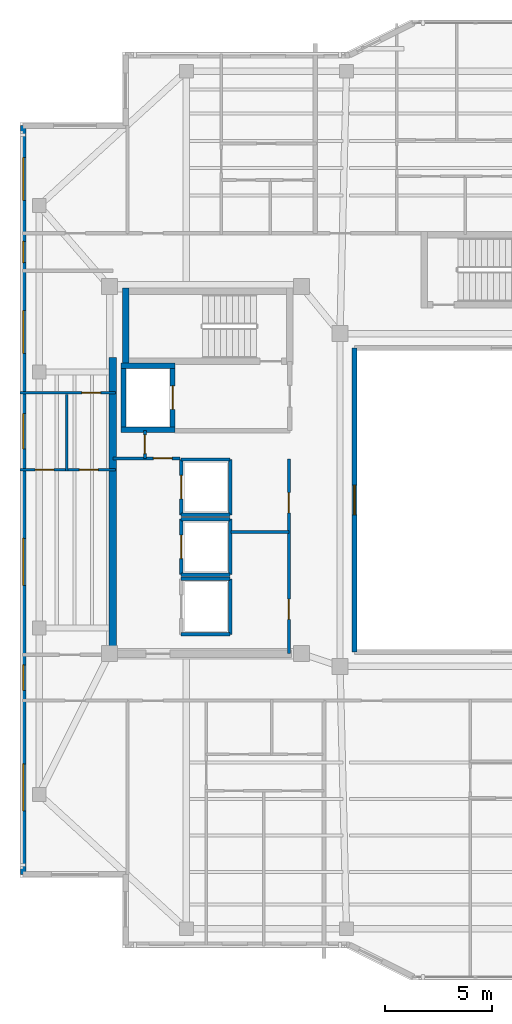
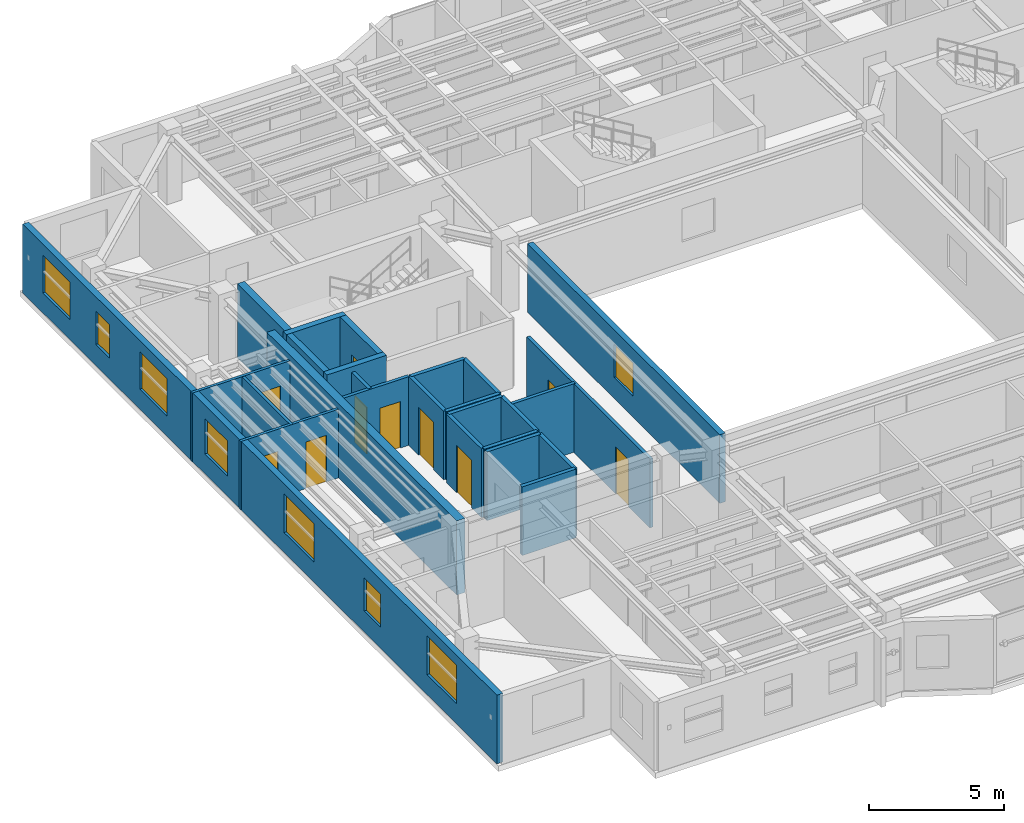
# One storey, part 7 of 15: 26 walls, 10 doors, 8 windows, 18 openings.
"""IFC4 building model written with IfcOpenShell, lengths in metres."""

from ifc_helpers import new_model, si_unit, direction, frame, frame_2d, origin, place, context, subcontext, project, spatial, rectangle, extrude, material, layer, layer_set, type_object, element, fill, save


model = new_model("IFC4")

# Units and contexts
model_context = context("Model", 3, precision=1e-05, world=origin(), true_north=direction((0.0, 1.0)))
body_context = subcontext(model_context, "Body", "Model", "MODEL_VIEW")
ifc_project = project(units=[si_unit("LENGTHUNIT", "METRE"), si_unit("AREAUNIT", "SQUARE_METRE"), si_unit("VOLUMEUNIT", "CUBIC_METRE"), si_unit("PLANEANGLEUNIT", "RADIAN"), si_unit("MASSUNIT", "GRAM", prefix="KILO")], contexts=[model_context])

# Site, building, storey
site_placement = place(None, origin())
site = spatial("IfcSite", under=ifc_project, at=site_placement, CompositionType="ELEMENT")
building_placement = place(site_placement, origin())
building = spatial("IfcBuilding", under=site, at=building_placement, Name="Tarnavaz Court Tower", CompositionType="ELEMENT")
storey_placement = place(building_placement, frame((0.0, 0.0, 241.5)))
storey = spatial("IfcBuildingStorey", under=building, at=storey_placement, Name="L65", CompositionType="ELEMENT", Elevation=241.5)

# Wall
ifc_material_1 = material(Name="Concrete C50/60", Category="concrete")
ifc_layer_1 = layer(ifc_material_1, 0.25)
ifc_layer_set_1 = layer_set([ifc_layer_1], Name="Concrete C50/60")
wall_type_1 = type_object("IfcWallType", Name="WL-CORE-250-C50", PredefinedType="SHEAR", material=ifc_layer_set_1)
wall_1_placement = place(storey_placement, frame((-17.949951171875, 3.175048828125, 0.0), z_axis=(0.0, 0.0, 1.0), x_axis=(0.0, 1.0, 0.0)))
element("IfcWall", 1, at=wall_1_placement, inside=storey, type_object=wall_type_1, Name="L65 Lift FL-W1 Shaft Wall 017", PredefinedType="SHEAR", context=body_context, shape_type="SweptSolid", body=[
    extrude(rectangle(XDim=3.25, YDim=0.25, at=frame_2d((1.625, 0.0))), origin(), (0.0, 0.0, 1.0), 3.35009765625),
])

# Wall, opening, door
wall_2_placement = place(storey_placement, frame((-15.64990234375, 3.175048828125, 0.0), z_axis=(0.0, 0.0, 1.0), x_axis=(0.0, 1.0, 0.0)))
wall_2 = element("IfcWall", 2, at=wall_2_placement, inside=storey, type_object=wall_type_1, Name="L65 Lift FL-W1 Shaft Wall 018", PredefinedType="SHEAR", context=body_context, shape_type="SweptSolid", body=[
    extrude(rectangle(XDim=3.25, YDim=0.25, at=frame_2d((1.625, 0.0))), origin(), (0.0, 0.0, 1.0), 3.35009765625),
])
opening_1_placement = place(wall_2_placement, frame((1.074951171875, 0.0, 0.0)))
opening_1 = element("IfcOpeningElement", 3, at=opening_1_placement, cuts=wall_2, Name="Opening LD1", PredefinedType="OPENING", context=body_context, shape_type="SweptSolid", body=[
    extrude(rectangle(XDim=1.10009765625, YDim=2.14990234375, at=frame_2d((0.550048828125, 1.074951171875))), frame((0.0, 0.135009765625, 0.0), z_axis=(0.0, -1.0, 0.0), x_axis=(1.0, 0.0, 0.0)), (0.0, 0.0, 1.0), 0.27001953125),
])
ifc_material_2 = material(Name="Stainless Steel", Category="steel")
door_type_1 = type_object("IfcDoorType", Name="DR-LD-1100", OperationType="NOTDEFINED", PredefinedType="DOOR", material=ifc_material_2)
door_1_placement = place(opening_1_placement, origin())
door_1 = element("IfcDoor", 4, at=door_1_placement, inside=storey, type_object=door_type_1, Name="L65 Lift Landing Door LD-FL-W1", OperationType="SLIDING_TO_LEFT", OverallHeight=2.14990234375, OverallWidth=1.10009765625, PredefinedType="DOOR", context=body_context, shape_type="SweptSolid", body=[
    extrude(rectangle(XDim=1.10009765625, YDim=2.14990234375, at=frame_2d((0.550048828125, 1.074951171875))), frame((0.0, 0.02490234375, 0.0), z_axis=(0.0, -1.0, 0.0), x_axis=(1.0, 0.0, 0.0)), (0.0, 0.0, 1.0), 0.050048828125),
])
fill(opening_1, door_1)

# Walls
for number, where, z_axis, x_axis, name in (
    (5, (-18.074951171875, 3.300048828125, 0.0), (0.0, 0.0, 1.0), (1.0, 0.0, 0.0), "L65 Lift FL-W1 Shaft Wall 019"),
    (6, (-18.074951171875, 6.300048828125, 0.0), (0.0, 0.0, 1.0), (1.0, 0.0, 0.0), "L65 Lift FL-W1 Shaft Wall 020"),
):
    element("IfcWall", number, at=place(storey_placement, frame(where, z_axis=z_axis, x_axis=x_axis)), inside=storey, type_object=wall_type_1, Name=name, PredefinedType="SHEAR", context=body_context, shape_type="SweptSolid", body=[
        extrude(rectangle(XDim=2.550048828125, YDim=0.25, at=frame_2d((1.27490234375, 0.0))), origin(), (0.0, 0.0, 1.0), 3.35009765625),
    ])
ifc_layer_2 = layer(ifc_material_1, 0.300048828125)
ifc_layer_set_2 = layer_set([ifc_layer_2], Name="Concrete C50/60")
wall_type_2 = type_object("IfcWallType", Name="WL-CORE-300-C50", PredefinedType="SHEAR", material=ifc_layer_set_2)
wall_3_placement = place(storey_placement, frame((-17.85009765625, 6.35009765625, 0.0), z_axis=(0.0, 0.0, 1.0), x_axis=(0.0, 1.0, 0.0)))
element("IfcWall", 7, at=wall_3_placement, inside=storey, type_object=wall_type_2, Name="L65 West Stair Core Wall 003", PredefinedType="SHEAR", context=body_context, shape_type="SweptSolid", body=[
    extrude(rectangle(XDim=3.58984375, YDim=0.300048828125, at=frame_2d((1.794921875, 0.0))), origin(), (0.0, 0.0, 1.0), 3.35009765625),
])
ifc_layer_3 = layer(ifc_material_1, 0.35009765625)
ifc_layer_set_3 = layer_set([ifc_layer_3], Name="Concrete C50/60")
wall_type_3 = type_object("IfcWallType", Name="WL-CORE-350-C50", PredefinedType="SHEAR", material=ifc_layer_set_3)
wall_4_placement = place(storey_placement, frame((-18.449951171875, -7.375, 0.0), z_axis=(0.0, 0.0, 1.0), x_axis=(0.0, 1.0, 0.0)))
element("IfcWall", 8, at=wall_4_placement, inside=storey, type_object=wall_type_3, Name="L65 West Core Shear Wall 045", PredefinedType="SHEAR", context=body_context, shape_type="SweptSolid", body=[
    extrude(rectangle(XDim=14.050048828125, YDim=0.35009765625, at=frame_2d((7.02490234375, 0.0))), origin(), (0.0, 0.0, 1.0), 3.35009765625),
])

# Wall, openings, windows
ifc_material_3 = material(Name="Precast Concrete C40/50", Category="concrete")
ifc_layer_4 = layer(ifc_material_3, 0.260009765625)
ifc_layer_set_4 = layer_set([ifc_layer_4], Name="Precast Concrete C40/50")
wall_type_4 = type_object("IfcWallType", Name="WL-EXT-260", PredefinedType="SOLIDWALL", material=ifc_layer_set_4)
wall_5_placement = place(storey_placement, frame((-22.64990234375, -17.550048828125, 0.0), z_axis=(0.0, 0.0, 1.0), x_axis=(0.0, 1.0, 0.0)))
wall_5 = element("IfcWall", 9, at=wall_5_placement, inside=storey, type_object=wall_type_4, Name="L65 Exterior Terracotta Facade Wall 02", PredefinedType="SOLIDWALL", context=body_context, shape_type="SweptSolid", body=[
    extrude(rectangle(XDim=35.10009765625, YDim=0.260009765625, at=frame_2d((17.550048828125, 0.0))), origin(), (0.0, 0.0, 1.0), 3.10009765625),
])
opening_2_placement = place(wall_5_placement, frame((2.97509765625, 0.0, 0.89990234375)))
opening_2 = element("IfcOpeningElement", 10, at=opening_2_placement, cuts=wall_5, Name="Opening W07", PredefinedType="OPENING", context=body_context, shape_type="SweptSolid", body=[
    extrude(rectangle(XDim=2.199951171875, YDim=1.75, at=frame_2d((1.10009765625, 0.875))), frame((0.0, 0.139892578125, 0.0), z_axis=(0.0, -1.0, 0.0), x_axis=(1.0, 0.0, 0.0)), (0.0, 0.0, 1.0), 0.280029296875),
])
opening_3_placement = place(wall_5_placement, frame((8.625, 0.0, 0.949951171875)))
opening_3 = element("IfcOpeningElement", 11, at=opening_3_placement, cuts=wall_5, Name="Opening W05", PredefinedType="OPENING", context=body_context, shape_type="SweptSolid", body=[
    extrude(rectangle(XDim=1.199951171875, YDim=1.5, at=frame_2d((0.60009765625, 0.75))), frame((0.0, 0.139892578125, 0.0), z_axis=(0.0, -1.0, 0.0), x_axis=(1.0, 0.0, 0.0)), (0.0, 0.0, 1.0), 0.280029296875),
])
opening_4_placement = place(wall_5_placement, frame((13.550048828125, 0.0, 0.89990234375)))
opening_4 = element("IfcOpeningElement", 12, at=opening_4_placement, cuts=wall_5, Name="Opening W07", PredefinedType="OPENING", context=body_context, shape_type="SweptSolid", body=[
    extrude(rectangle(XDim=2.199951171875, YDim=1.75, at=frame_2d((1.10009765625, 0.875))), frame((0.0, 0.139892578125, 0.0), z_axis=(0.0, -1.0, 0.0), x_axis=(1.0, 0.0, 0.0)), (0.0, 0.0, 1.0), 0.280029296875),
])
opening_5_placement = place(wall_5_placement, frame((19.949951171875, 0.0, 0.89990234375)))
opening_5 = element("IfcOpeningElement", 13, at=opening_5_placement, cuts=wall_5, Name="Opening W02", PredefinedType="OPENING", context=body_context, shape_type="SweptSolid", body=[
    extrude(rectangle(XDim=1.64990234375, YDim=1.60009765625, at=frame_2d((0.824951171875, 0.800048828125))), frame((0.0, 0.139892578125, 0.0), z_axis=(0.0, -1.0, 0.0), x_axis=(1.0, 0.0, 0.0)), (0.0, 0.0, 1.0), 0.280029296875),
])
opening_6_placement = place(wall_5_placement, frame((24.425048828125, 0.0, 0.89990234375)))
opening_6 = element("IfcOpeningElement", 14, at=opening_6_placement, cuts=wall_5, Name="Opening W08", PredefinedType="OPENING", context=body_context, shape_type="SweptSolid", body=[
    extrude(rectangle(XDim=2.0, YDim=1.699951171875, at=frame_2d((1.0, 0.85009765625))), frame((0.0, 0.139892578125, 0.0), z_axis=(0.0, -1.0, 0.0), x_axis=(1.0, 0.0, 0.0)), (0.0, 0.0, 1.0), 0.280029296875),
])
opening_7_placement = place(wall_5_placement, frame((28.675048828125, 0.0, 0.949951171875)))
opening_7 = element("IfcOpeningElement", 15, at=opening_7_placement, cuts=wall_5, Name="Opening W14", PredefinedType="OPENING", context=body_context, shape_type="SweptSolid", body=[
    extrude(rectangle(XDim=1.0, YDim=1.5, at=frame_2d((0.5, 0.75))), frame((0.0, 0.139892578125, 0.0), z_axis=(0.0, -1.0, 0.0), x_axis=(1.0, 0.0, 0.0)), (0.0, 0.0, 1.0), 0.280029296875),
])
opening_8_placement = place(wall_5_placement, frame((31.60009765625, 0.0, 0.89990234375)))
opening_8 = element("IfcOpeningElement", 16, at=opening_8_placement, cuts=wall_5, Name="Opening W08", PredefinedType="OPENING", context=body_context, shape_type="SweptSolid", body=[
    extrude(rectangle(XDim=2.0, YDim=1.699951171875, at=frame_2d((1.0, 0.85009765625))), frame((0.0, 0.139892578125, 0.0), z_axis=(0.0, -1.0, 0.0), x_axis=(1.0, 0.0, 0.0)), (0.0, 0.0, 1.0), 0.280029296875),
])
ifc_material_4 = material(Name="Double-Glazed Solar Low-E Glass", Category="glass")
window_type_1 = type_object("IfcWindowType", Name="WN-APT-1000", PartitioningType="SINGLE_PANEL", PredefinedType="WINDOW", material=ifc_material_4)
window_1_placement = place(opening_7_placement, origin())
window_1 = element("IfcWindow", 17, at=window_1_placement, inside=storey, type_object=window_type_1, Name="L65 North-West Corner Corridor Window", OverallHeight=1.5, OverallWidth=1.0, PartitioningType="SINGLE_PANEL", PredefinedType="WINDOW", context=body_context, shape_type="SweptSolid", body=[
    extrude(rectangle(XDim=1.0, YDim=1.5, at=frame_2d((0.5, 0.75))), frame((0.0, 0.030029296875, 0.0), z_axis=(0.0, -1.0, 0.0), x_axis=(1.0, 0.0, 0.0)), (0.0, 0.0, 1.0), 0.06005859375),
])
fill(opening_7, window_1)
window_type_2 = type_object("IfcWindowType", Name="WN-APT-1200", PartitioningType="SINGLE_PANEL", PredefinedType="WINDOW", material=ifc_material_4)
window_2_placement = place(opening_3_placement, origin())
window_2 = element("IfcWindow", 18, at=window_2_placement, inside=storey, type_object=window_type_2, Name="L65 South-West Corner Corridor Window", OverallHeight=1.5, OverallWidth=1.199951171875, PartitioningType="SINGLE_PANEL", PredefinedType="WINDOW", context=body_context, shape_type="SweptSolid", body=[
    extrude(rectangle(XDim=1.199951171875, YDim=1.5, at=frame_2d((0.60009765625, 0.75))), frame((0.0, 0.030029296875, 0.0), z_axis=(0.0, -1.0, 0.0), x_axis=(1.0, 0.0, 0.0)), (0.0, 0.0, 1.0), 0.06005859375),
])
fill(opening_3, window_2)
window_type_3 = type_object("IfcWindowType", Name="WN-APT-1650", PartitioningType="DOUBLE_PANEL_VERTICAL", PredefinedType="WINDOW", material=ifc_material_4)
window_3_placement = place(opening_5_placement, origin())
window_3 = element("IfcWindow", 19, at=window_3_placement, inside=storey, type_object=window_type_3, Name="L65 Flat 08 Kitchen Window", OverallHeight=1.60009765625, OverallWidth=1.64990234375, PartitioningType="SINGLE_PANEL", PredefinedType="WINDOW", context=body_context, shape_type="SweptSolid", body=[
    extrude(rectangle(XDim=1.64990234375, YDim=1.60009765625, at=frame_2d((0.824951171875, 0.800048828125))), frame((0.0, 0.030029296875, 0.0), z_axis=(0.0, -1.0, 0.0), x_axis=(1.0, 0.0, 0.0)), (0.0, 0.0, 1.0), 0.06005859375),
])
fill(opening_5, window_3)
window_type_4 = type_object("IfcWindowType", Name="WN-APT-2000", PartitioningType="DOUBLE_PANEL_VERTICAL", PredefinedType="WINDOW", material=ifc_material_4)
window_4_placement = place(opening_6_placement, origin())
window_4 = element("IfcWindow", 20, at=window_4_placement, inside=storey, type_object=window_type_4, Name="L65 Flat 08 Study Room Window", OverallHeight=1.699951171875, OverallWidth=2.0, PartitioningType="SINGLE_PANEL", PredefinedType="WINDOW", context=body_context, shape_type="SweptSolid", body=[
    extrude(rectangle(XDim=2.0, YDim=1.699951171875, at=frame_2d((1.0, 0.85009765625))), frame((0.0, 0.030029296875, 0.0), z_axis=(0.0, -1.0, 0.0), x_axis=(1.0, 0.0, 0.0)), (0.0, 0.0, 1.0), 0.06005859375),
])
fill(opening_6, window_4)
window_5_placement = place(opening_8_placement, origin())
window_5 = element("IfcWindow", 21, at=window_5_placement, inside=storey, type_object=window_type_4, Name="L65 North-West Corner Sunroom Study Window", OverallHeight=1.699951171875, OverallWidth=2.0, PartitioningType="SINGLE_PANEL", PredefinedType="WINDOW", context=body_context, shape_type="SweptSolid", body=[
    extrude(rectangle(XDim=2.0, YDim=1.699951171875, at=frame_2d((1.0, 0.85009765625))), frame((0.0, 0.030029296875, 0.0), z_axis=(0.0, -1.0, 0.0), x_axis=(1.0, 0.0, 0.0)), (0.0, 0.0, 1.0), 0.06005859375),
])
fill(opening_8, window_5)
window_type_5 = type_object("IfcWindowType", Name="WN-APT-2200", PartitioningType="TRIPLE_PANEL_VERTICAL", PredefinedType="WINDOW", material=ifc_material_4)
window_6_placement = place(opening_2_placement, origin())
window_6 = element("IfcWindow", 22, at=window_6_placement, inside=storey, type_object=window_type_5, Name="L65 South-West Corner Reading Room Window", OverallHeight=1.75, OverallWidth=2.199951171875, PartitioningType="SINGLE_PANEL", PredefinedType="WINDOW", context=body_context, shape_type="SweptSolid", body=[
    extrude(rectangle(XDim=2.199951171875, YDim=1.75, at=frame_2d((1.10009765625, 0.875))), frame((0.0, 0.030029296875, 0.0), z_axis=(0.0, -1.0, 0.0), x_axis=(1.0, 0.0, 0.0)), (0.0, 0.0, 1.0), 0.06005859375),
])
fill(opening_2, window_6)
window_7_placement = place(opening_4_placement, origin())
window_7 = element("IfcWindow", 23, at=window_7_placement, inside=storey, type_object=window_type_5, Name="L65 Flat 08 Studio Living and Sleeping Room Window", OverallHeight=1.75, OverallWidth=2.199951171875, PartitioningType="SINGLE_PANEL", PredefinedType="WINDOW", context=body_context, shape_type="SweptSolid", body=[
    extrude(rectangle(XDim=2.199951171875, YDim=1.75, at=frame_2d((1.10009765625, 0.875))), frame((0.0, 0.030029296875, 0.0), z_axis=(0.0, -1.0, 0.0), x_axis=(1.0, 0.0, 0.0)), (0.0, 0.0, 1.0), 0.06005859375),
])
fill(opening_4, window_7)

# Wall, openings, doors
ifc_material_5 = material(Name="Moisture-Resistant Gypsum Board Partition", Category="masonry")
ifc_layer_5 = layer(ifc_material_5, 0.1201171875)
ifc_layer_set_5 = layer_set([ifc_layer_5], Name="Moisture-Resistant Gypsum Board Partition")
wall_type_5 = type_object("IfcWallType", Name="WL-PART-120", PredefinedType="PARTITIONING", material=ifc_layer_set_5)
wall_6_placement = place(storey_placement, frame((-22.800048828125, 1.419921875, 0.0), z_axis=(0.0, 0.0, 1.0), x_axis=(1.0, 0.0, 0.0)))
wall_6 = element("IfcWall", 24, at=wall_6_placement, inside=storey, type_object=wall_type_5, Name="L65 Interior Partition 123", PredefinedType="PARTITIONING", context=body_context, shape_type="SweptSolid", body=[
    extrude(rectangle(XDim=4.469970703125, YDim=0.1201171875, at=frame_2d((2.23486328125, 0.0))), origin(), (0.0, 0.0, 1.0), 3.10009765625),
])
opening_9_placement = place(wall_6_placement, frame((0.712890625, 0.0, 0.0)))
opening_9 = element("IfcOpeningElement", 25, at=opening_9_placement, cuts=wall_6, Name="Opening D14", PredefinedType="OPENING", context=body_context, shape_type="SweptSolid", body=[
    extrude(rectangle(XDim=0.8798828125, YDim=2.10009765625, at=frame_2d((0.43994140625, 1.050048828125))), frame((0.0, 0.070068359375, 0.0), z_axis=(0.0, -1.0, 0.0), x_axis=(1.0, 0.0, 0.0)), (0.0, 0.0, 1.0), 0.14013671875),
])
opening_10_placement = place(wall_6_placement, frame((2.778076171875, 0.0, 0.0)))
opening_10 = element("IfcOpeningElement", 26, at=opening_10_placement, cuts=wall_6, Name="Opening D14", PredefinedType="OPENING", context=body_context, shape_type="SweptSolid", body=[
    extrude(rectangle(XDim=0.8798828125, YDim=2.10009765625, at=frame_2d((0.43994140625, 1.050048828125))), frame((0.0, 0.070068359375, 0.0), z_axis=(0.0, -1.0, 0.0), x_axis=(1.0, 0.0, 0.0)), (0.0, 0.0, 1.0), 0.14013671875),
])
ifc_material_6 = material(Name="Engineered Oak Timber", Category="wood")
door_type_2 = type_object("IfcDoorType", Name="DR-INT-900", OperationType="NOTDEFINED", PredefinedType="DOOR", material=ifc_material_6)
door_2_placement = place(opening_9_placement, origin())
door_2 = element("IfcDoor", 27, at=door_2_placement, inside=storey, type_object=door_type_2, Name="L65 Flat 08 Kitchen Door", OperationType="SINGLE_SWING_RIGHT", OverallHeight=2.10009765625, OverallWidth=0.8798828125, PredefinedType="DOOR", context=body_context, shape_type="SweptSolid", body=[
    extrude(rectangle(XDim=0.8798828125, YDim=2.10009765625, at=frame_2d((0.43994140625, 1.050048828125))), frame((0.0, 0.02490234375, 0.0), z_axis=(0.0, -1.0, 0.0), x_axis=(1.0, 0.0, 0.0)), (0.0, 0.0, 1.0), 0.050048828125),
])
fill(opening_9, door_2)
door_3_placement = place(opening_10_placement, origin())
door_3 = element("IfcDoor", 28, at=door_3_placement, inside=storey, type_object=door_type_2, Name="L65 Flat 08 Bathroom Door", OperationType="SINGLE_SWING_LEFT", OverallHeight=2.10009765625, OverallWidth=0.8798828125, PredefinedType="DOOR", context=body_context, shape_type="SweptSolid", body=[
    extrude(rectangle(XDim=0.8798828125, YDim=2.10009765625, at=frame_2d((0.43994140625, 1.050048828125))), frame((0.0, 0.02490234375, 0.0), z_axis=(0.0, -1.0, 0.0), x_axis=(1.0, 0.0, 0.0)), (0.0, 0.0, 1.0), 0.050048828125),
])
fill(opening_10, door_3)

# Wall, opening, door
wall_7_placement = place(storey_placement, frame((-22.800048828125, 5.02001953125, 0.0), z_axis=(0.0, 0.0, 1.0), x_axis=(1.0, 0.0, 0.0)))
wall_7 = element("IfcWall", 29, at=wall_7_placement, inside=storey, type_object=wall_type_5, Name="L65 Interior Partition 124", PredefinedType="PARTITIONING", context=body_context, shape_type="SweptSolid", body=[
    extrude(rectangle(XDim=4.469970703125, YDim=0.1201171875, at=frame_2d((2.23486328125, 0.0))), origin(), (0.0, 0.0, 1.0), 3.10009765625),
])
opening_11_placement = place(wall_7_placement, frame((2.89990234375, 0.0, 0.0)))
opening_11 = element("IfcOpeningElement", 30, at=opening_11_placement, cuts=wall_7, Name="Opening D14", PredefinedType="OPENING", context=body_context, shape_type="SweptSolid", body=[
    extrude(rectangle(XDim=0.8798828125, YDim=2.10009765625, at=frame_2d((0.43994140625, 1.050048828125))), frame((0.0, 0.070068359375, 0.0), z_axis=(0.0, -1.0, 0.0), x_axis=(1.0, 0.0, 0.0)), (0.0, 0.0, 1.0), 0.14013671875),
])
door_4_placement = place(opening_11_placement, origin())
door_4 = element("IfcDoor", 31, at=door_4_placement, inside=storey, type_object=door_type_2, Name="L65 Flat 08 Study Door", OperationType="SINGLE_SWING_RIGHT", OverallHeight=2.10009765625, OverallWidth=0.8798828125, PredefinedType="DOOR", context=body_context, shape_type="SweptSolid", body=[
    extrude(rectangle(XDim=0.8798828125, YDim=2.10009765625, at=frame_2d((0.43994140625, 1.050048828125))), frame((0.0, 0.02490234375, 0.0), z_axis=(0.0, -1.0, 0.0), x_axis=(1.0, 0.0, 0.0)), (0.0, 0.0, 1.0), 0.050048828125),
])
fill(opening_11, door_4)

# Wall
wall_8_placement = place(storey_placement, frame((-20.614990234375, 1.360107421875, 0.0), z_axis=(0.0, 0.0, 1.0), x_axis=(0.0, 1.0, 0.0)))
element("IfcWall", 32, at=wall_8_placement, inside=storey, type_object=wall_type_5, Name="L65 Interior Partition 125", PredefinedType="PARTITIONING", context=body_context, shape_type="SweptSolid", body=[
    extrude(rectangle(XDim=3.579833984375, YDim=0.1201171875, at=frame_2d((1.7900390625, 0.0))), origin(), (0.0, 0.0, 1.0), 3.10009765625),
])

# Wall, opening, door
ifc_material_7 = material(Name="Gypsum Plasterboard Acoustic Partition", Category="masonry")
ifc_layer_6 = layer(ifc_material_7, 0.139892578125)
ifc_layer_set_6 = layer_set([ifc_layer_6], Name="Gypsum Plasterboard Acoustic Partition")
wall_type_6 = type_object("IfcWallType", Name="WL-PART-150", PredefinedType="PARTITIONING", material=ifc_layer_set_6)
wall_9_placement = place(storey_placement, frame((-18.449951171875, 1.949951171875, 0.0), z_axis=(0.0, 0.0, 1.0), x_axis=(1.0, 0.0, 0.0)))
wall_9 = element("IfcWall", 33, at=wall_9_placement, inside=storey, type_object=wall_type_6, Name="L65 Interior Partition 049", PredefinedType="PARTITIONING", context=body_context, shape_type="SweptSolid", body=[
    extrude(rectangle(XDim=3.14990234375, YDim=0.139892578125, at=frame_2d((1.574951171875, 0.0))), origin(), (0.0, 0.0, 1.0), 3.10009765625),
])
opening_12_placement = place(wall_9_placement, frame((1.89990234375, 0.0, 0.0)))
opening_12 = element("IfcOpeningElement", 34, at=opening_12_placement, cuts=wall_9, Name="Opening D14", PredefinedType="OPENING", context=body_context, shape_type="SweptSolid", body=[
    extrude(rectangle(XDim=0.8798828125, YDim=2.10009765625, at=frame_2d((0.43994140625, 1.050048828125))), frame((0.0, 0.079833984375, 0.0), z_axis=(0.0, -1.0, 0.0), x_axis=(1.0, 0.0, 0.0)), (0.0, 0.0, 1.0), 0.159912109375),
])
door_5_placement = place(opening_12_placement, origin())
door_5 = element("IfcDoor", 35, at=door_5_placement, inside=storey, type_object=door_type_2, Name="L65 West Sky Switchgear Door", OperationType="SINGLE_SWING_RIGHT", OverallHeight=2.10009765625, OverallWidth=0.8798828125, PredefinedType="DOOR", context=body_context, shape_type="SweptSolid", body=[
    extrude(rectangle(XDim=0.8798828125, YDim=2.10009765625, at=frame_2d((0.43994140625, 1.050048828125))), frame((0.0, 0.02490234375, 0.0), z_axis=(0.0, -1.0, 0.0), x_axis=(1.0, 0.0, 0.0)), (0.0, 0.0, 1.0), 0.050048828125),
])
fill(opening_12, door_5)

wall_10_placement = place(storey_placement, frame((-16.949951171875, 1.949951171875, 0.0), z_axis=(0.0, 0.0, 1.0), x_axis=(0.0, 1.0, 0.0)))
wall_10 = element("IfcWall", 36, at=wall_10_placement, inside=storey, type_object=wall_type_6, Name="L65 Interior Partition 050", PredefinedType="PARTITIONING", context=body_context, shape_type="SweptSolid", body=[
    extrude(rectangle(XDim=1.300048828125, YDim=0.139892578125, at=frame_2d((0.64990234375, 0.0))), origin(), (0.0, 0.0, 1.0), 3.10009765625),
])
opening_13_placement = place(wall_10_placement, frame((0.219970703125, 0.0, 0.0)))
opening_13 = element("IfcOpeningElement", 37, at=opening_13_placement, cuts=wall_10, Name="Opening D14", PredefinedType="OPENING", context=body_context, shape_type="SweptSolid", body=[
    extrude(rectangle(XDim=0.8798828125, YDim=2.10009765625, at=frame_2d((0.43994140625, 1.050048828125))), frame((0.0, 0.079833984375, 0.0), z_axis=(0.0, -1.0, 0.0), x_axis=(1.0, 0.0, 0.0)), (0.0, 0.0, 1.0), 0.159912109375),
])
door_6_placement = place(opening_13_placement, origin())
door_6 = element("IfcDoor", 38, at=door_6_placement, inside=storey, type_object=door_type_2, Name="L65 West Sky Telecom Door", OperationType="SINGLE_SWING_LEFT", OverallHeight=2.10009765625, OverallWidth=0.8798828125, PredefinedType="DOOR", context=body_context, shape_type="SweptSolid", body=[
    extrude(rectangle(XDim=0.8798828125, YDim=2.10009765625, at=frame_2d((0.43994140625, 1.050048828125))), frame((0.0, 0.02490234375, 0.0), z_axis=(0.0, -1.0, 0.0), x_axis=(1.0, 0.0, 0.0)), (0.0, 0.0, 1.0), 0.050048828125),
])
fill(opening_13, door_6)

# Wall, openings, doors
wall_11_placement = place(storey_placement, frame((-10.199951171875, -7.199951171875, 0.0), z_axis=(0.0, 0.0, 1.0), x_axis=(0.0, 1.0, 0.0)))
wall_11 = element("IfcWall", 39, at=wall_11_placement, inside=storey, type_object=wall_type_6, Name="L65 West Reclaimed Core Wall 051", PredefinedType="PARTITIONING", context=body_context, shape_type="SweptSolid", body=[
    extrude(rectangle(XDim=9.119873046875, YDim=0.139892578125, at=frame_2d((4.56005859375, 0.0))), origin(), (0.0, 0.0, 1.0), 3.10009765625),
])
opening_14_placement = place(wall_11_placement, frame((1.60009765625, 0.0, 0.0)))
opening_14 = element("IfcOpeningElement", 40, at=opening_14_placement, cuts=wall_11, Name="Opening D08", PredefinedType="OPENING", context=body_context, shape_type="SweptSolid", body=[
    extrude(rectangle(XDim=0.949951171875, YDim=2.1201171875, at=frame_2d((0.47509765625, 1.06005859375))), frame((0.0, 0.079833984375, 0.0), z_axis=(0.0, -1.0, 0.0), x_axis=(1.0, 0.0, 0.0)), (0.0, 0.0, 1.0), 0.159912109375),
])
opening_15_placement = place(wall_11_placement, frame((6.60009765625, 0.0, 0.0)))
opening_15 = element("IfcOpeningElement", 41, at=opening_15_placement, cuts=wall_11, Name="Opening D08", PredefinedType="OPENING", context=body_context, shape_type="SweptSolid", body=[
    extrude(rectangle(XDim=0.949951171875, YDim=2.1201171875, at=frame_2d((0.47509765625, 1.06005859375))), frame((0.0, 0.079833984375, 0.0), z_axis=(0.0, -1.0, 0.0), x_axis=(1.0, 0.0, 0.0)), (0.0, 0.0, 1.0), 0.159912109375),
])
ifc_material_8 = material(Name="Fire-Rated Hardwood Timber Core", Category="wood")
door_type_3 = type_object("IfcDoorType", Name="DR-FD30-950", OperationType="NOTDEFINED", PredefinedType="DOOR", material=ifc_material_8)
door_7_placement = place(opening_14_placement, origin())
door_7 = element("IfcDoor", 42, at=door_7_placement, inside=storey, type_object=door_type_3, Name="L65 West Study Room Door", OperationType="SINGLE_SWING_RIGHT", OverallHeight=2.1201171875, OverallWidth=0.949951171875, PredefinedType="DOOR", context=body_context, shape_type="SweptSolid", body=[
    extrude(rectangle(XDim=0.949951171875, YDim=2.1201171875, at=frame_2d((0.47509765625, 1.06005859375))), frame((0.0, 0.02490234375, 0.0), z_axis=(0.0, -1.0, 0.0), x_axis=(1.0, 0.0, 0.0)), (0.0, 0.0, 1.0), 0.050048828125),
])
fill(opening_14, door_7)
door_8_placement = place(opening_15_placement, origin())
door_8 = element("IfcDoor", 43, at=door_8_placement, inside=storey, type_object=door_type_3, Name="L65 West Laundry Room Door", OperationType="SINGLE_SWING_LEFT", OverallHeight=2.1201171875, OverallWidth=0.949951171875, PredefinedType="DOOR", context=body_context, shape_type="SweptSolid", body=[
    extrude(rectangle(XDim=0.949951171875, YDim=2.1201171875, at=frame_2d((0.47509765625, 1.06005859375))), frame((0.0, 0.02490234375, 0.0), z_axis=(0.0, -1.0, 0.0), x_axis=(1.0, 0.0, 0.0)), (0.0, 0.0, 1.0), 0.050048828125),
])
fill(opening_15, door_8)

# Walls
wall_12_placement = place(storey_placement, frame((-12.89990234375, -1.5, 0.0), z_axis=(0.0, 0.0, 1.0), x_axis=(1.0, 0.0, 0.0)))
element("IfcWall", 44, at=wall_12_placement, inside=storey, type_object=wall_type_6, Name="L65 Interior Partition 052", PredefinedType="PARTITIONING", context=body_context, shape_type="SweptSolid", body=[
    extrude(rectangle(XDim=2.699951171875, YDim=0.139892578125, at=frame_2d((1.35009765625, 0.0))), origin(), (0.0, 0.0, 1.0), 3.10009765625),
])
ifc_material_9 = material(Name="Autoclaved Aerated Concrete Blockwork", Category="masonry")
ifc_layer_7 = layer(ifc_material_9, 0.159912109375)
ifc_layer_set_7 = layer_set([ifc_layer_7], Name="Autoclaved Aerated Concrete Blockwork")
wall_type_7 = type_object("IfcWallType", Name="WL-SHAFT-150", PredefinedType="SOLIDWALL", material=ifc_layer_set_7)
wall_13_placement = place(storey_placement, frame((-12.949951171875, -6.300048828125, 0.0), z_axis=(0.0, 0.0, 1.0), x_axis=(0.0, 1.0, 0.0)))
element("IfcWall", 45, at=wall_13_placement, inside=storey, type_object=wall_type_7, Name="L65 Lift PL-H1 Shaft Wall 022", PredefinedType="SOLIDWALL", context=body_context, shape_type="SweptSolid", body=[
    extrude(rectangle(XDim=2.60009765625, YDim=0.159912109375, at=frame_2d((1.300048828125, 0.0))), origin(), (0.0, 0.0, 1.0), 3.10009765625),
])
for number, where, z_axis, x_axis, name in (
    (46, (-15.25, -6.300048828125, 0.0), (0.0, 0.0, 1.0), (1.0, 0.0, 0.0), "L65 Lift PL-H1 Shaft Wall 023"),
    (47, (-15.25, -3.699951171875, 0.0), (0.0, 0.0, 1.0), (1.0, 0.0, 0.0), "L65 Lift PL-H1 Shaft Wall 024"),
):
    element("IfcWall", number, at=place(storey_placement, frame(where, z_axis=z_axis, x_axis=x_axis)), inside=storey, type_object=wall_type_7, Name=name, PredefinedType="SOLIDWALL", context=body_context, shape_type="SweptSolid", body=[
        extrude(rectangle(XDim=2.300048828125, YDim=0.159912109375, at=frame_2d((1.14990234375, 0.0))), origin(), (0.0, 0.0, 1.0), 3.10009765625),
    ])

# Wall, opening, door
wall_14_placement = place(storey_placement, frame((-15.25, -3.5, 0.0), z_axis=(0.0, 0.0, 1.0), x_axis=(0.0, 1.0, 0.0)))
wall_14 = element("IfcWall", 48, at=wall_14_placement, inside=storey, type_object=wall_type_7, Name="L65 Lift PL-H2 Shaft Wall 025", PredefinedType="SOLIDWALL", context=body_context, shape_type="SweptSolid", body=[
    extrude(rectangle(XDim=2.60009765625, YDim=0.159912109375, at=frame_2d((1.300048828125, 0.0))), origin(), (0.0, 0.0, 1.0), 3.10009765625),
])
opening_16_placement = place(wall_14_placement, frame((0.75, 0.0, 0.0)))
opening_16 = element("IfcOpeningElement", 49, at=opening_16_placement, cuts=wall_14, Name="Opening LD1", PredefinedType="OPENING", context=body_context, shape_type="SweptSolid", body=[
    extrude(rectangle(XDim=1.10009765625, YDim=2.14990234375, at=frame_2d((0.550048828125, 1.074951171875))), frame((0.0, 0.08984375, 0.0), z_axis=(0.0, -1.0, 0.0), x_axis=(1.0, 0.0, 0.0)), (0.0, 0.0, 1.0), 0.179931640625),
])
door_9_placement = place(opening_16_placement, origin())
door_9 = element("IfcDoor", 50, at=door_9_placement, inside=storey, type_object=door_type_1, Name="L65 Lift Landing Door LD-PL-H2", OperationType="SLIDING_TO_LEFT", OverallHeight=2.14990234375, OverallWidth=1.10009765625, PredefinedType="DOOR", context=body_context, shape_type="SweptSolid", body=[
    extrude(rectangle(XDim=1.10009765625, YDim=2.14990234375, at=frame_2d((0.550048828125, 1.074951171875))), frame((0.0, 0.02490234375, 0.0), z_axis=(0.0, -1.0, 0.0), x_axis=(1.0, 0.0, 0.0)), (0.0, 0.0, 1.0), 0.050048828125),
])
fill(opening_16, door_9)

# Walls
wall_15_placement = place(storey_placement, frame((-12.949951171875, -3.5, 0.0), z_axis=(0.0, 0.0, 1.0), x_axis=(0.0, 1.0, 0.0)))
element("IfcWall", 51, at=wall_15_placement, inside=storey, type_object=wall_type_7, Name="L65 Lift PL-H2 Shaft Wall 026", PredefinedType="SOLIDWALL", context=body_context, shape_type="SweptSolid", body=[
    extrude(rectangle(XDim=2.60009765625, YDim=0.159912109375, at=frame_2d((1.300048828125, 0.0))), origin(), (0.0, 0.0, 1.0), 3.10009765625),
])
for number, where, z_axis, x_axis, name in (
    (52, (-15.25, -3.5, 0.0), (0.0, 0.0, 1.0), (1.0, 0.0, 0.0), "L65 Lift PL-H2 Shaft Wall 027"),
    (53, (-15.25, -0.89990234375, 0.0), (0.0, 0.0, 1.0), (1.0, 0.0, 0.0), "L65 Lift PL-H2 Shaft Wall 028"),
):
    element("IfcWall", number, at=place(storey_placement, frame(where, z_axis=z_axis, x_axis=x_axis)), inside=storey, type_object=wall_type_7, Name=name, PredefinedType="SOLIDWALL", context=body_context, shape_type="SweptSolid", body=[
        extrude(rectangle(XDim=2.300048828125, YDim=0.159912109375, at=frame_2d((1.14990234375, 0.0))), origin(), (0.0, 0.0, 1.0), 3.10009765625),
    ])

# Wall, opening, door
wall_16_placement = place(storey_placement, frame((-15.25, -0.699951171875, 0.0), z_axis=(0.0, 0.0, 1.0), x_axis=(0.0, 1.0, 0.0)))
wall_16 = element("IfcWall", 54, at=wall_16_placement, inside=storey, type_object=wall_type_7, Name="L65 Lift PL-H3 Shaft Wall 029", PredefinedType="SOLIDWALL", context=body_context, shape_type="SweptSolid", body=[
    extrude(rectangle(XDim=2.599853515625, YDim=0.159912109375, at=frame_2d((1.2998046875, 0.0))), origin(), (0.0, 0.0, 1.0), 3.10009765625),
])
opening_17_placement = place(wall_16_placement, frame((0.75, 0.0, 0.0)))
opening_17 = element("IfcOpeningElement", 55, at=opening_17_placement, cuts=wall_16, Name="Opening LD1", PredefinedType="OPENING", context=body_context, shape_type="SweptSolid", body=[
    extrude(rectangle(XDim=1.10009765625, YDim=2.14990234375, at=frame_2d((0.550048828125, 1.074951171875))), frame((0.0, 0.08984375, 0.0), z_axis=(0.0, -1.0, 0.0), x_axis=(1.0, 0.0, 0.0)), (0.0, 0.0, 1.0), 0.179931640625),
])
door_10_placement = place(opening_17_placement, origin())
door_10 = element("IfcDoor", 56, at=door_10_placement, inside=storey, type_object=door_type_1, Name="L65 Lift Landing Door LD-PL-H3", OperationType="SLIDING_TO_LEFT", OverallHeight=2.14990234375, OverallWidth=1.10009765625, PredefinedType="DOOR", context=body_context, shape_type="SweptSolid", body=[
    extrude(rectangle(XDim=1.10009765625, YDim=2.14990234375, at=frame_2d((0.550048828125, 1.074951171875))), frame((0.0, 0.02490234375, 0.0), z_axis=(0.0, -1.0, 0.0), x_axis=(1.0, 0.0, 0.0)), (0.0, 0.0, 1.0), 0.050048828125),
])
fill(opening_17, door_10)

# Walls
wall_17_placement = place(storey_placement, frame((-12.949951171875, -0.699951171875, 0.0), z_axis=(0.0, 0.0, 1.0), x_axis=(0.0, 1.0, 0.0)))
element("IfcWall", 57, at=wall_17_placement, inside=storey, type_object=wall_type_7, Name="L65 Lift PL-H3 Shaft Wall 030", PredefinedType="SOLIDWALL", context=body_context, shape_type="SweptSolid", body=[
    extrude(rectangle(XDim=2.599853515625, YDim=0.159912109375, at=frame_2d((1.2998046875, 0.0))), origin(), (0.0, 0.0, 1.0), 3.10009765625),
])
for number, where, z_axis, x_axis, name in (
    (58, (-15.25, -0.699951171875, 0.0), (0.0, 0.0, 1.0), (1.0, 0.0, 0.0), "L65 Lift PL-H3 Shaft Wall 031"),
    (59, (-15.25, 1.89990234375, 0.0), (0.0, 0.0, 1.0), (1.0, 0.0, 0.0), "L65 Lift PL-H3 Shaft Wall 032"),
):
    element("IfcWall", number, at=place(storey_placement, frame(where, z_axis=z_axis, x_axis=x_axis)), inside=storey, type_object=wall_type_7, Name=name, PredefinedType="SOLIDWALL", context=body_context, shape_type="SweptSolid", body=[
        extrude(rectangle(XDim=2.300048828125, YDim=0.159912109375, at=frame_2d((1.14990234375, 0.0))), origin(), (0.0, 0.0, 1.0), 3.10009765625),
    ])

# Wall, opening, window
ifc_layer_8 = layer(ifc_material_3, 0.239990234375)
ifc_layer_set_8 = layer_set([ifc_layer_8], Name="Precast Concrete C40/50")
wall_type_8 = type_object("IfcWallType", Name="WL-WELL-240", PredefinedType="SOLIDWALL", material=ifc_layer_set_8)
wall_18_placement = place(storey_placement, frame((-7.1201171875, 7.1201171875, 0.0), z_axis=(0.0, 0.0, 1.0), x_axis=(0.0, -1.0, 0.0)))
wall_18 = element("IfcWall", 60, at=wall_18_placement, inside=storey, type_object=wall_type_8, Name="L65 Badgir Light-Well Exterior Wall W", PredefinedType="SOLIDWALL", context=body_context, shape_type="SweptSolid", body=[
    extrude(rectangle(XDim=14.240234375, YDim=0.239990234375, at=frame_2d((7.1201171875, 0.0))), origin(), (0.0, 0.0, 1.0), 3.10009765625),
])
opening_18_placement = place(wall_18_placement, frame((6.419921875, 0.0, 0.949951171875)))
opening_18 = element("IfcOpeningElement", 61, at=opening_18_placement, cuts=wall_18, Name="Opening W13", PredefinedType="OPENING", context=body_context, shape_type="SweptSolid", body=[
    extrude(rectangle(XDim=1.39990234375, YDim=1.5, at=frame_2d((0.699951171875, 0.75))), frame((0.0, 0.1298828125, 0.0), z_axis=(0.0, -1.0, 0.0), x_axis=(1.0, 0.0, 0.0)), (0.0, 0.0, 1.0), 0.260009765625),
])
window_type_6 = type_object("IfcWindowType", Name="WN-WEL-1400", PartitioningType="SINGLE_PANEL", PredefinedType="WINDOW", material=ifc_material_4)
window_8_placement = place(opening_18_placement, origin())
window_8 = element("IfcWindow", 62, at=window_8_placement, inside=storey, type_object=window_type_6, Name="L65 Courtyard Gallery Window W", OverallHeight=1.5, OverallWidth=1.39990234375, PartitioningType="SINGLE_PANEL", PredefinedType="WINDOW", context=body_context, shape_type="SweptSolid", body=[
    extrude(rectangle(XDim=1.39990234375, YDim=1.5, at=frame_2d((0.699951171875, 0.75))), frame((0.0, 0.030029296875, 0.0), z_axis=(0.0, -1.0, 0.0), x_axis=(1.0, 0.0, 0.0)), (0.0, 0.0, 1.0), 0.06005859375),
])
fill(opening_18, window_8)

save(model, "model.ifc")
